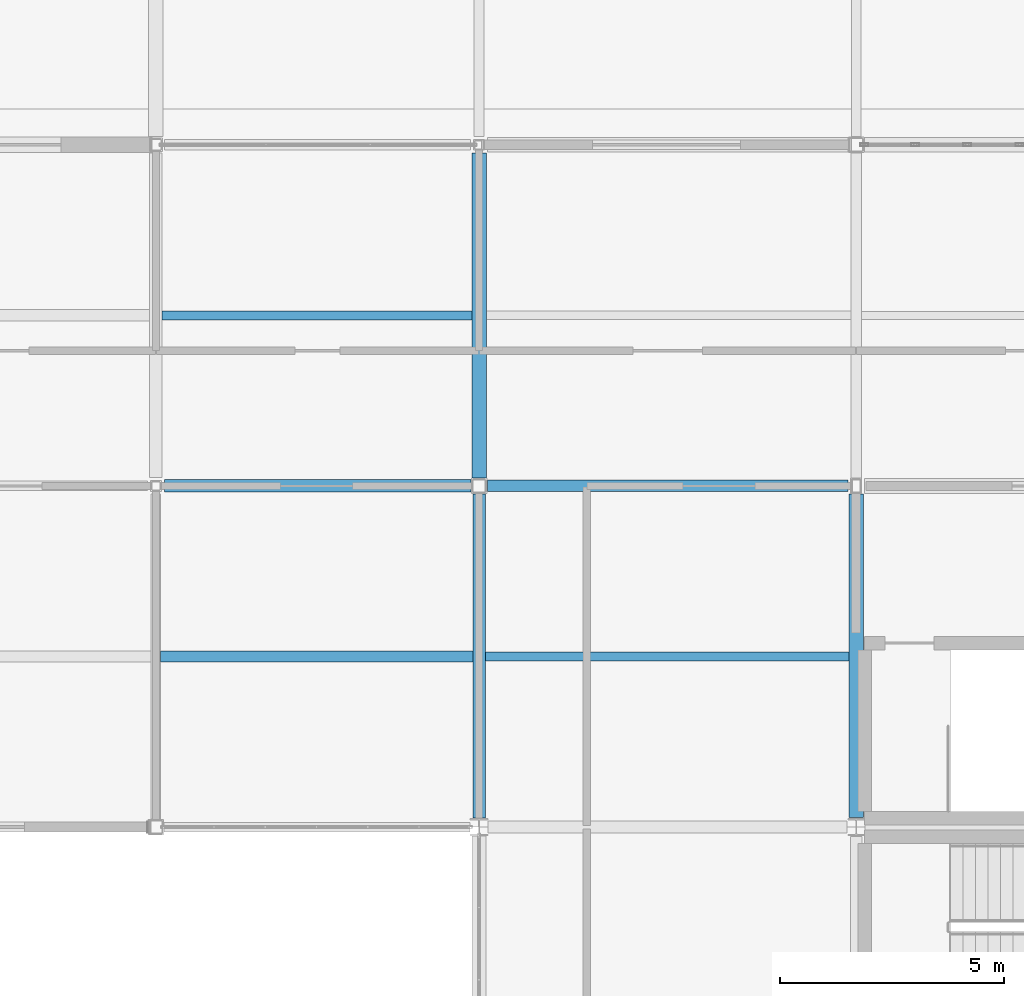
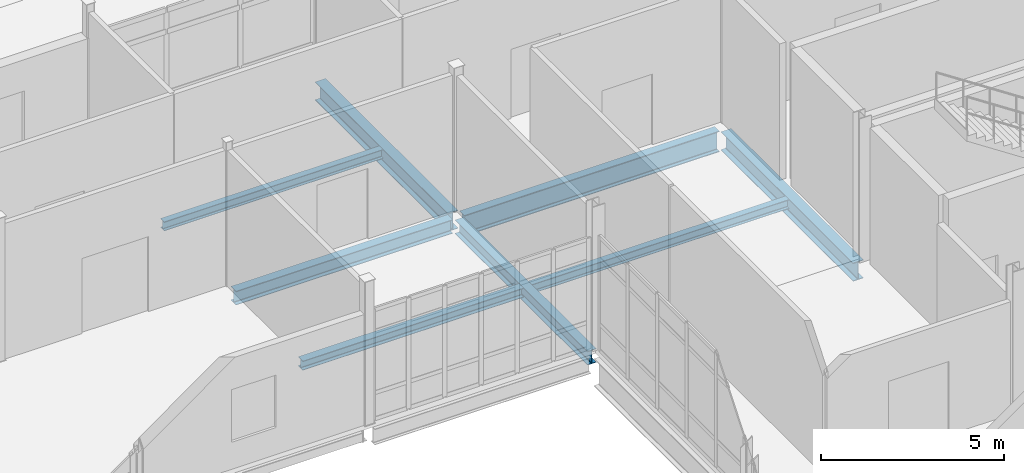
# One storey, part 36 of 186: 8 beams.
"""IFC4 building model written with IfcOpenShell, lengths in metres."""

from ifc_helpers import new_model, si_unit, direction, frame, origin, origin_2d, place, context, subcontext, project, spatial, i_section, extrude, material, material_profile, profile_set, type_object, element, save


model = new_model("IFC4")

# Units and contexts
model_context = context("Model", 3, precision=1e-05, world=origin(), true_north=direction((0.0, 1.0)))
body_context = subcontext(model_context, "Body", "Model", "MODEL_VIEW")
ifc_project = project(units=[si_unit("LENGTHUNIT", "METRE"), si_unit("AREAUNIT", "SQUARE_METRE"), si_unit("VOLUMEUNIT", "CUBIC_METRE"), si_unit("PLANEANGLEUNIT", "RADIAN"), si_unit("MASSUNIT", "GRAM", prefix="KILO")], contexts=[model_context])

# Site, building, storey
site_placement = place(None, origin())
site = spatial("IfcSite", under=ifc_project, at=site_placement, CompositionType="ELEMENT")
building_placement = place(site_placement, origin())
building = spatial("IfcBuilding", under=site, at=building_placement, Name="Calvrana Isthmian Art Gallery", CompositionType="ELEMENT")
storey_placement = place(building_placement, frame((0.0, 0.0, 5.39990234375)))
storey = spatial("IfcBuildingStorey", under=building, at=storey_placement, Name="L01", CompositionType="ELEMENT", Elevation=5.39990234375)

# Beams
ifc_material = material(Name="Steel ASTM A992 Gr 50", Category="steel")
ifc_material_profile_1 = material_profile(ifc_material, i_section(OverallWidth=0.279052734375, OverallDepth=0.4619140625, WebThickness=0.0107421875, FlangeThickness=0.017333984375, FilletRadius=0.02001953125, at=origin_2d()), Name="W18X76")
ifc_profile_set_1 = profile_set([ifc_material_profile_1], Name="Steel ASTM A992 Gr 50")
beam_type_1 = type_object("IfcBeamType", Name="BM-G-W18X76", PredefinedType="BEAM", material=ifc_profile_set_1)
beam_1_placement = place(storey_placement, frame((14.58642578125, 54.39990234375, -0.475830078125), z_axis=(1.0, 0.0, 0.0), x_axis=(0.0, 1.0, 0.0)))
element("IfcBeam", 1, at=beam_1_placement, inside=storey, type_object=beam_type_1, Name="Girder X L01 03-04/H", PredefinedType="BEAM", context=body_context, shape_type="SweptSolid", body=[
    extrude(i_section(OverallWidth=0.279052734375, OverallDepth=0.4619140625, WebThickness=0.0107421875, FlangeThickness=0.017333984375, FilletRadius=0.02001953125, at=origin_2d()), origin(), (0.0, 0.0, 1.0), 6.828125),
])
beam_2_placement = place(storey_placement, frame((21.60009765625, 46.9970703125, -0.475830078125), z_axis=(0.0, 1.0, 0.0), x_axis=(-1.0, 0.0, 0.0)))
element("IfcBeam", 2, at=beam_2_placement, inside=storey, type_object=beam_type_1, Name="Girder Y L01 04/G-H", PredefinedType="BEAM", context=body_context, shape_type="SweptSolid", body=[
    extrude(i_section(OverallWidth=0.279052734375, OverallDepth=0.4619140625, WebThickness=0.0107421875, FlangeThickness=0.017333984375, FilletRadius=0.02001953125, at=origin_2d()), origin(), (0.0, 0.0, 1.0), 7.221435546875),
])
ifc_material_profile_2 = material_profile(ifc_material, i_section(OverallWidth=0.324951171875, OverallDepth=0.612060546875, WebThickness=0.0126953125, FlangeThickness=0.01904296875, FilletRadius=0.02197265625, at=origin_2d()), Name="W24X104")
ifc_profile_set_2 = profile_set([ifc_material_profile_2], Name="Steel ASTM A992 Gr 50")
beam_type_2 = type_object("IfcBeamType", Name="BM-G-W24X104", PredefinedType="BEAM", material=ifc_profile_set_2)
beam_3_placement = place(storey_placement, frame((21.60009765625, 54.58154296875, -0.55078125), z_axis=(0.0, 1.0, 0.0), x_axis=(-1.0, 0.0, 0.0)))
element("IfcBeam", 3, at=beam_3_placement, inside=storey, type_object=beam_type_2, Name="Girder Y L01 04/H-I", PredefinedType="BEAM", context=body_context, shape_type="SweptSolid", body=[
    extrude(i_section(OverallWidth=0.324951171875, OverallDepth=0.612060546875, WebThickness=0.0126953125, FlangeThickness=0.01904296875, FilletRadius=0.02197265625, at=origin_2d()), origin(), (0.0, 0.0, 1.0), 7.234375),
])
beam_4_placement = place(storey_placement, frame((30.0, 47.008544921875, -0.55078125), z_axis=(0.0, 1.0, 0.0), x_axis=(-1.0, 0.0, 0.0)))
element("IfcBeam", 4, at=beam_4_placement, inside=storey, type_object=beam_type_2, Name="Girder Y L01 05/G-H", PredefinedType="BEAM", context=body_context, shape_type="SweptSolid", body=[
    extrude(i_section(OverallWidth=0.324951171875, OverallDepth=0.612060546875, WebThickness=0.0126953125, FlangeThickness=0.01904296875, FilletRadius=0.02197265625, at=origin_2d()), origin(), (0.0, 0.0, 1.0), 7.21337890625),
])
ifc_material_profile_3 = material_profile(ifc_material, i_section(OverallWidth=0.257080078125, OverallDepth=0.693115234375, WebThickness=0.014404296875, FlangeThickness=0.023681640625, FilletRadius=0.02392578125, at=origin_2d()), Name="W27X114")
ifc_profile_set_3 = profile_set([ifc_material_profile_3], Name="Steel ASTM A992 Gr 50")
beam_type_3 = type_object("IfcBeamType", Name="BM-G-W27X114", PredefinedType="BEAM", material=ifc_profile_set_3)
beam_5_placement = place(storey_placement, frame((21.785400390625, 54.39990234375, -0.59130859375), z_axis=(1.0, 0.0, 0.0), x_axis=(0.0, 1.0, 0.0)))
element("IfcBeam", 5, at=beam_5_placement, inside=storey, type_object=beam_type_3, Name="Girder X L01 04-05/H", PredefinedType="BEAM", context=body_context, shape_type="SweptSolid", body=[
    extrude(i_section(OverallWidth=0.257080078125, OverallDepth=0.693115234375, WebThickness=0.014404296875, FlangeThickness=0.023681640625, FilletRadius=0.02392578125, at=origin_2d()), origin(), (0.0, 0.0, 1.0), 8.030517578125),
])
ifc_material_profile_4 = material_profile(ifc_material, i_section(OverallWidth=0.202880859375, OverallDepth=0.302001953125, WebThickness=0.007568359375, FlangeThickness=0.01318359375, FilletRadius=0.01611328125, at=origin_2d()), Name="W12X40")
ifc_profile_set_4 = profile_set([ifc_material_profile_4], Name="Steel ASTM A992 Gr 50")
beam_type_4 = type_object("IfcBeamType", Name="BM-J-W12X40", PredefinedType="JOIST", material=ifc_profile_set_4)
beam_6_placement = place(storey_placement, frame((14.53955078125, 58.199951171875, -0.39599609375), z_axis=(1.0, 0.0, 0.0), x_axis=(0.0, 1.0, 0.0)))
element("IfcBeam", 6, at=beam_6_placement, inside=storey, type_object=beam_type_4, Name="Composite joist L01 bay 02-07", PredefinedType="JOIST", context=body_context, shape_type="SweptSolid", body=[
    extrude(i_section(OverallWidth=0.202880859375, OverallDepth=0.302001953125, WebThickness=0.007568359375, FlangeThickness=0.01318359375, FilletRadius=0.01611328125, at=origin_2d()), origin(), (0.0, 0.0, 1.0), 6.89794921875),
])
beam_7_placement = place(storey_placement, frame((21.739501953125, 50.60009765625, -0.39599609375), z_axis=(1.0, 0.0, 0.0), x_axis=(0.0, 1.0, 0.0)))
element("IfcBeam", 7, at=beam_7_placement, inside=storey, type_object=beam_type_4, Name="Composite joist L01 bay 03-06", PredefinedType="JOIST", context=body_context, shape_type="SweptSolid", body=[
    extrude(i_section(OverallWidth=0.202880859375, OverallDepth=0.302001953125, WebThickness=0.007568359375, FlangeThickness=0.01318359375, FilletRadius=0.01611328125, at=origin_2d()), origin(), (0.0, 0.0, 1.0), 8.097900390625),
])
ifc_material_profile_5 = material_profile(ifc_material, i_section(OverallWidth=0.25390625, OverallDepth=0.306884765625, WebThickness=0.0087890625, FlangeThickness=0.0146484375, FilletRadius=0.01611328125, at=origin_2d()), Name="W12X53")
ifc_profile_set_5 = profile_set([ifc_material_profile_5], Name="Steel ASTM A992 Gr 50")
beam_type_5 = type_object("IfcBeamType", Name="BM-J-W12X53", PredefinedType="JOIST", material=ifc_profile_set_5)
beam_8_placement = place(storey_placement, frame((14.50439453125, 50.60009765625, -0.3984375), z_axis=(1.0, 0.0, 0.0), x_axis=(0.0, 1.0, 0.0)))
element("IfcBeam", 8, at=beam_8_placement, inside=storey, type_object=beam_type_5, Name="Composite joist L01 bay 02-06", PredefinedType="JOIST", context=body_context, shape_type="SweptSolid", body=[
    extrude(i_section(OverallWidth=0.25390625, OverallDepth=0.306884765625, WebThickness=0.0087890625, FlangeThickness=0.0146484375, FilletRadius=0.01611328125, at=origin_2d()), origin(), (0.0, 0.0, 1.0), 6.9560546875),
])

save(model, "model.ifc")
